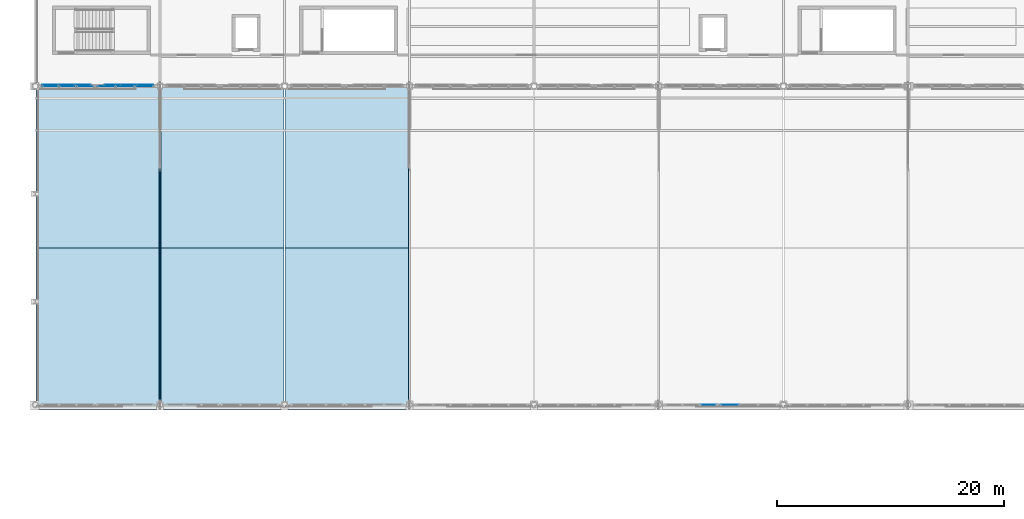
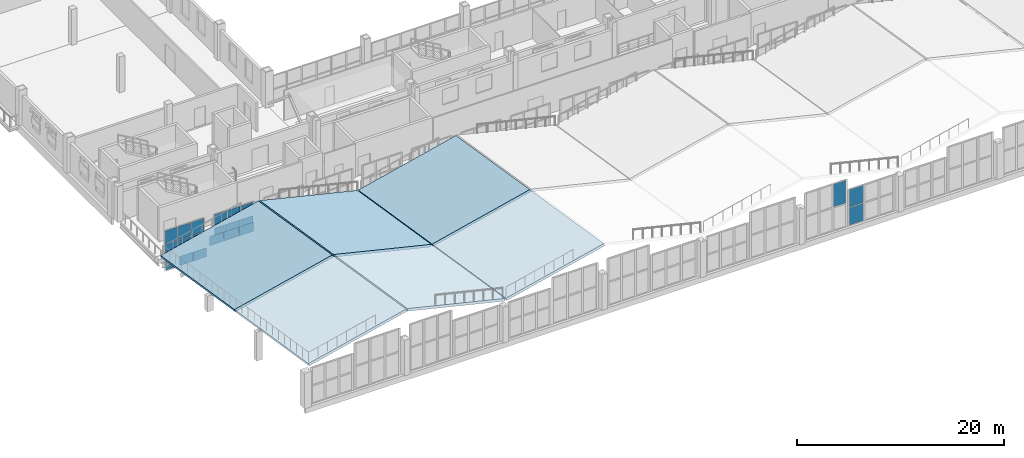
# One storey, part 78 of 120: 21 plates, 6 slabs, 6 elements without a shape of their own.
"""IFC4 building model written with IfcOpenShell, lengths in metres."""

from ifc_helpers import new_model, si_unit, direction, frame, origin, origin_2d, place, context, subcontext, project, spatial, polyline, rectangle, outline, extrude, material, layer, layer_set, type_object, element, aggregate, save


model = new_model("IFC4")

# Units and contexts
model_context = context("Model", 3, precision=1e-05, world=origin(), true_north=direction((0.0, 1.0)))
body_context = subcontext(model_context, "Body", "Model", "MODEL_VIEW")
ifc_project = project(units=[si_unit("LENGTHUNIT", "METRE"), si_unit("AREAUNIT", "SQUARE_METRE"), si_unit("VOLUMEUNIT", "CUBIC_METRE"), si_unit("PLANEANGLEUNIT", "RADIAN"), si_unit("MASSUNIT", "GRAM", prefix="KILO")], contexts=[model_context])

# Site, building, storey
site_placement = place(None, origin())
site = spatial("IfcSite", under=ifc_project, at=site_placement, CompositionType="ELEMENT")
building_placement = place(site_placement, origin())
building = spatial("IfcBuilding", under=site, at=building_placement, Name="Caurita Quay Ferry Terminal", CompositionType="ELEMENT")
storey_placement = place(building_placement, frame((0.0, 0.0, 9.89990234375)))
storey = spatial("IfcBuildingStorey", under=building, at=storey_placement, Name="L02", CompositionType="ELEMENT", Elevation=9.89990234375)

# Curtain wall, plates
ifc_material_1 = material(Name="Laminated solar-control insulated glass", Category="glass")
curtain_wall_type_1 = type_object("IfcCurtainWallType", Name="CW-SYS-13", PredefinedType="NOTDEFINED", material=ifc_material_1)
curtain_wall_1_placement = place(storey_placement, origin())
curtain_wall_1 = element("IfcCurtainWall", 1, at=curtain_wall_1_placement, inside=storey, type_object=curtain_wall_type_1, Name="Mezzanine Hall Overlook Glazing 089", PredefinedType="NOTDEFINED")
ifc_layer_1 = layer(ifc_material_1, 0.02392578125, Name="Laminated low-e hurricane-rated glazing unit 24 mm")
ifc_layer_set_1 = layer_set([ifc_layer_1], Name="Laminated solar-control insulated glass")
plate_type_1 = type_object("IfcPlateType", Name="CW-PNL-24", PredefinedType="CURTAIN_PANEL", material=ifc_layer_set_1)
plate_1_placement = place(storey_placement, frame((1.29833984375, 62.800048828125, 0.05810546875), z_axis=(0.0, 0.0, 1.0), x_axis=(1.0, 0.0, 0.0)))
plate_1 = element("IfcPlate", 2, at=plate_1_placement, type_object=plate_type_1, Name="CW-MZL-089 Glazing Panel 1", PredefinedType="CURTAIN_PANEL", context=body_context, shape_type="SweptSolid", body=[
    extrude(rectangle(XDim=1.380615234375, YDim=0.02392578125, at=origin_2d()), origin(), (0.0, 0.0, 1.0), 1.56396484375),
])
plate_2_placement = place(storey_placement, frame((1.29833984375, 62.800048828125, 1.67822265625), z_axis=(0.0, 0.0, 1.0), x_axis=(1.0, 0.0, 0.0)))
plate_2 = element("IfcPlate", 3, at=plate_2_placement, type_object=plate_type_1, Name="CW-MZL-089 Glazing Panel 2", PredefinedType="CURTAIN_PANEL", context=body_context, shape_type="SweptSolid", body=[
    extrude(rectangle(XDim=1.380615234375, YDim=0.02392578125, at=origin_2d()), origin(), (0.0, 0.0, 1.0), 1.56396484375),
])
plate_3_placement = place(storey_placement, frame((2.75, 62.800048828125, 0.05810546875), z_axis=(0.0, 0.0, 1.0), x_axis=(1.0, 0.0, 0.0)))
plate_3 = element("IfcPlate", 4, at=plate_3_placement, type_object=plate_type_1, Name="CW-MZL-089 Glazing Panel 3", PredefinedType="CURTAIN_PANEL", context=body_context, shape_type="SweptSolid", body=[
    extrude(rectangle(XDim=1.41064453125, YDim=0.02392578125, at=origin_2d()), origin(), (0.0, 0.0, 1.0), 1.56396484375),
])
plate_4_placement = place(storey_placement, frame((2.75, 62.800048828125, 1.67822265625), z_axis=(0.0, 0.0, 1.0), x_axis=(1.0, 0.0, 0.0)))
plate_4 = element("IfcPlate", 5, at=plate_4_placement, type_object=plate_type_1, Name="CW-MZL-089 Glazing Panel 4", PredefinedType="CURTAIN_PANEL", context=body_context, shape_type="SweptSolid", body=[
    extrude(rectangle(XDim=1.41064453125, YDim=0.02392578125, at=origin_2d()), origin(), (0.0, 0.0, 1.0), 1.56396484375),
])
plate_5_placement = place(storey_placement, frame((4.20166015625, 62.800048828125, 0.05810546875), z_axis=(0.0, 0.0, 1.0), x_axis=(1.0, 0.0, 0.0)))
plate_5 = element("IfcPlate", 6, at=plate_5_placement, type_object=plate_type_1, Name="CW-MZL-089 Glazing Panel 5", PredefinedType="CURTAIN_PANEL", context=body_context, shape_type="SweptSolid", body=[
    extrude(rectangle(XDim=1.380615234375, YDim=0.02392578125, at=origin_2d()), origin(), (0.0, 0.0, 1.0), 1.56396484375),
])
plate_6_placement = place(storey_placement, frame((4.20166015625, 62.800048828125, 1.67822265625), z_axis=(0.0, 0.0, 1.0), x_axis=(1.0, 0.0, 0.0)))
plate_6 = element("IfcPlate", 7, at=plate_6_placement, type_object=plate_type_1, Name="CW-MZL-089 Glazing Panel 6", PredefinedType="CURTAIN_PANEL", context=body_context, shape_type="SweptSolid", body=[
    extrude(rectangle(XDim=1.380615234375, YDim=0.02392578125, at=origin_2d()), origin(), (0.0, 0.0, 1.0), 1.56396484375),
])
aggregate(curtain_wall_1, [plate_1, plate_2, plate_3, plate_4, plate_5, plate_6])

curtain_wall_2_placement = place(storey_placement, origin())
curtain_wall_2 = element("IfcCurtainWall", 8, at=curtain_wall_2_placement, inside=storey, type_object=curtain_wall_type_1, Name="Mezzanine Hall Overlook Glazing 090", PredefinedType="NOTDEFINED")
plate_7_placement = place(storey_placement, frame((6.79833984375, 62.800048828125, 0.05810546875), z_axis=(0.0, 0.0, 1.0), x_axis=(1.0, 0.0, 0.0)))
plate_7 = element("IfcPlate", 9, at=plate_7_placement, type_object=plate_type_1, Name="CW-MZL-090 Glazing Panel 1", PredefinedType="CURTAIN_PANEL", context=body_context, shape_type="SweptSolid", body=[
    extrude(rectangle(XDim=1.380615234375, YDim=0.02392578125, at=origin_2d()), origin(), (0.0, 0.0, 1.0), 1.56396484375),
])
plate_8_placement = place(storey_placement, frame((6.79833984375, 62.800048828125, 1.67822265625), z_axis=(0.0, 0.0, 1.0), x_axis=(1.0, 0.0, 0.0)))
plate_8 = element("IfcPlate", 10, at=plate_8_placement, type_object=plate_type_1, Name="CW-MZL-090 Glazing Panel 2", PredefinedType="CURTAIN_PANEL", context=body_context, shape_type="SweptSolid", body=[
    extrude(rectangle(XDim=1.380615234375, YDim=0.02392578125, at=origin_2d()), origin(), (0.0, 0.0, 1.0), 1.56396484375),
])
plate_9_placement = place(storey_placement, frame((8.25, 62.800048828125, 0.05810546875), z_axis=(0.0, 0.0, 1.0), x_axis=(1.0, 0.0, 0.0)))
plate_9 = element("IfcPlate", 11, at=plate_9_placement, type_object=plate_type_1, Name="CW-MZL-090 Glazing Panel 3", PredefinedType="CURTAIN_PANEL", context=body_context, shape_type="SweptSolid", body=[
    extrude(rectangle(XDim=1.41064453125, YDim=0.02392578125, at=origin_2d()), origin(), (0.0, 0.0, 1.0), 1.56396484375),
])
plate_10_placement = place(storey_placement, frame((8.25, 62.800048828125, 1.67822265625), z_axis=(0.0, 0.0, 1.0), x_axis=(1.0, 0.0, 0.0)))
plate_10 = element("IfcPlate", 12, at=plate_10_placement, type_object=plate_type_1, Name="CW-MZL-090 Glazing Panel 4", PredefinedType="CURTAIN_PANEL", context=body_context, shape_type="SweptSolid", body=[
    extrude(rectangle(XDim=1.41064453125, YDim=0.02392578125, at=origin_2d()), origin(), (0.0, 0.0, 1.0), 1.56396484375),
])
plate_11_placement = place(storey_placement, frame((9.70166015625, 62.800048828125, 0.05810546875), z_axis=(0.0, 0.0, 1.0), x_axis=(1.0, 0.0, 0.0)))
plate_11 = element("IfcPlate", 13, at=plate_11_placement, type_object=plate_type_1, Name="CW-MZL-090 Glazing Panel 5", PredefinedType="CURTAIN_PANEL", context=body_context, shape_type="SweptSolid", body=[
    extrude(rectangle(XDim=1.380615234375, YDim=0.02392578125, at=origin_2d()), origin(), (0.0, 0.0, 1.0), 1.56396484375),
])
plate_12_placement = place(storey_placement, frame((9.70166015625, 62.800048828125, 1.67822265625), z_axis=(0.0, 0.0, 1.0), x_axis=(1.0, 0.0, 0.0)))
plate_12 = element("IfcPlate", 14, at=plate_12_placement, type_object=plate_type_1, Name="CW-MZL-090 Glazing Panel 6", PredefinedType="CURTAIN_PANEL", context=body_context, shape_type="SweptSolid", body=[
    extrude(rectangle(XDim=1.380615234375, YDim=0.02392578125, at=origin_2d()), origin(), (0.0, 0.0, 1.0), 1.56396484375),
])
aggregate(curtain_wall_2, [plate_7, plate_8, plate_9, plate_10, plate_11, plate_12])

curtain_wall_type_2 = type_object("IfcCurtainWallType", Name="CW-SYS-05", PredefinedType="NOTDEFINED", material=ifc_material_1)
curtain_wall_3_placement = place(storey_placement, origin())
curtain_wall_3 = element("IfcCurtainWall", 15, at=curtain_wall_3_placement, inside=storey, type_object=curtain_wall_type_2, Name="Folded Roof Clerestory FB-01-N1", PredefinedType="NOTDEFINED")
ifc_layer_2 = layer(ifc_material_1, 0.028076171875, Name="Laminated low-e hurricane-rated glazing unit 28 mm")
ifc_layer_set_2 = layer_set([ifc_layer_2], Name="Laminated solar-control insulated glass")
plate_type_2 = type_object("IfcPlateType", Name="CW-PNL-28", PredefinedType="CURTAIN_PANEL", material=ifc_layer_set_2)
plate_13_placement = place(storey_placement, frame((1.34375, 62.699951171875, -1.31005859375), z_axis=(0.0, 0.0, 1.0), x_axis=(1.0, 0.0, 0.0)))
plate_13 = element("IfcPlate", 16, at=plate_13_placement, type_object=plate_type_2, Name="CW-CLR-005 Glazing Panel 1", PredefinedType="CURTAIN_PANEL", context=body_context, shape_type="SweptSolid", body=[
    extrude(rectangle(XDim=1.44140625, YDim=0.028076171875, at=origin_2d()), origin(), (0.0, 0.0, 1.0), 1.053955078125),
])
plate_14_placement = place(storey_placement, frame((2.875, 62.699951171875, -1.31005859375), z_axis=(0.0, 0.0, 1.0), x_axis=(1.0, 0.0, 0.0)))
plate_14 = element("IfcPlate", 17, at=plate_14_placement, type_object=plate_type_2, Name="CW-CLR-005 Glazing Panel 2", PredefinedType="CURTAIN_PANEL", context=body_context, shape_type="SweptSolid", body=[
    extrude(rectangle(XDim=1.47900390625, YDim=0.028076171875, at=origin_2d()), origin(), (0.0, 0.0, 1.0), 1.053955078125),
])
plate_15_placement = place(storey_placement, frame((4.40625, 62.699951171875, -1.31005859375), z_axis=(0.0, 0.0, 1.0), x_axis=(1.0, 0.0, 0.0)))
plate_15 = element("IfcPlate", 18, at=plate_15_placement, type_object=plate_type_2, Name="CW-CLR-005 Glazing Panel 3", PredefinedType="CURTAIN_PANEL", context=body_context, shape_type="SweptSolid", body=[
    extrude(rectangle(XDim=1.44140625, YDim=0.028076171875, at=origin_2d()), origin(), (0.0, 0.0, 1.0), 1.053955078125),
])
aggregate(curtain_wall_3, [plate_13, plate_14, plate_15])

curtain_wall_type_3 = type_object("IfcCurtainWallType", Name="CW-SYS-06", PredefinedType="NOTDEFINED", material=ifc_material_1)
curtain_wall_4_placement = place(storey_placement, origin())
curtain_wall_4 = element("IfcCurtainWall", 19, at=curtain_wall_4_placement, inside=storey, type_object=curtain_wall_type_3, Name="Folded Roof Clerestory FB-01-N2", PredefinedType="NOTDEFINED")
plate_16_placement = place(storey_placement, frame((6.260498046875, 62.699951171875, -0.14599609375), z_axis=(0.0, 0.0, 1.0), x_axis=(1.0, 0.0, 0.0)))
plate_16 = element("IfcPlate", 20, at=plate_16_placement, type_object=plate_type_2, Name="CW-CLR-006 Glazing Panel 1", PredefinedType="CURTAIN_PANEL", context=body_context, shape_type="SweptSolid", body=[
    extrude(rectangle(XDim=1.57470703125, YDim=0.028076171875, at=origin_2d()), origin(), (0.0, 0.0, 1.0), 1.053955078125),
])
plate_17_placement = place(storey_placement, frame((7.925048828125, 62.699951171875, -0.14599609375), z_axis=(0.0, 0.0, 1.0), x_axis=(1.0, 0.0, 0.0)))
plate_17 = element("IfcPlate", 21, at=plate_17_placement, type_object=plate_type_2, Name="CW-CLR-006 Glazing Panel 2", PredefinedType="CURTAIN_PANEL", context=body_context, shape_type="SweptSolid", body=[
    extrude(rectangle(XDim=1.6123046875, YDim=0.028076171875, at=origin_2d()), origin(), (0.0, 0.0, 1.0), 1.053955078125),
])
plate_18_placement = place(storey_placement, frame((9.589599609375, 62.699951171875, -0.14599609375), z_axis=(0.0, 0.0, 1.0), x_axis=(1.0, 0.0, 0.0)))
plate_18 = element("IfcPlate", 22, at=plate_18_placement, type_object=plate_type_2, Name="CW-CLR-006 Glazing Panel 3", PredefinedType="CURTAIN_PANEL", context=body_context, shape_type="SweptSolid", body=[
    extrude(rectangle(XDim=1.57470703125, YDim=0.028076171875, at=origin_2d()), origin(), (0.0, 0.0, 1.0), 1.053955078125),
])
aggregate(curtain_wall_4, [plate_16, plate_17, plate_18])

# Curtain wall, plate
curtain_wall_type_4 = type_object("IfcCurtainWallType", Name="CW-SYS-03", PredefinedType="NOTDEFINED", material=ifc_material_1)
curtain_wall_5_placement = place(storey_placement, origin())
curtain_wall_5 = element("IfcCurtainWall", 23, at=curtain_wall_5_placement, inside=storey, type_object=curtain_wall_type_4, Name="Folded Roof Clerestory FB-03-S3", PredefinedType="NOTDEFINED")
plate_19_placement = place(storey_placement, frame((59.40625, 34.60009765625, 2.822265625), z_axis=(0.0, 0.0, 1.0), x_axis=(1.0, 0.0, 0.0)))
plate_19 = element("IfcPlate", 24, at=plate_19_placement, type_object=plate_type_2, Name="CW-CLR-019 Glazing Panel 6", PredefinedType="CURTAIN_PANEL", context=body_context, shape_type="SweptSolid", body=[
    extrude(rectangle(XDim=1.44140625, YDim=0.028076171875, at=origin_2d()), origin(), (0.0, 0.0, 1.0), 2.677978515625),
])
aggregate(curtain_wall_5, [plate_19])

# Curtain wall, plates
curtain_wall_type_5 = type_object("IfcCurtainWallType", Name="CW-SYS-04", PredefinedType="NOTDEFINED", material=ifc_material_1)
curtain_wall_6_placement = place(storey_placement, origin())
curtain_wall_6 = element("IfcCurtainWall", 25, at=curtain_wall_6_placement, inside=storey, type_object=curtain_wall_type_5, Name="Folded Roof Clerestory FB-03-S4", PredefinedType="NOTDEFINED")
plate_20_placement = place(storey_placement, frame((61.260498046875, 34.60009765625, 0.0732421875), z_axis=(0.0, 0.0, 1.0), x_axis=(1.0, 0.0, 0.0)))
plate_20 = element("IfcPlate", 26, at=plate_20_placement, type_object=plate_type_2, Name="CW-CLR-020 Glazing Panel 1", PredefinedType="CURTAIN_PANEL", context=body_context, shape_type="SweptSolid", body=[
    extrude(rectangle(XDim=1.57470703125, YDim=0.028076171875, at=origin_2d()), origin(), (0.0, 0.0, 1.0), 2.048095703125),
])
plate_21_placement = place(storey_placement, frame((61.260498046875, 34.60009765625, 2.19189453125), z_axis=(0.0, 0.0, 1.0), x_axis=(1.0, 0.0, 0.0)))
plate_21 = element("IfcPlate", 27, at=plate_21_placement, type_object=plate_type_2, Name="CW-CLR-020 Glazing Panel 2", PredefinedType="CURTAIN_PANEL", context=body_context, shape_type="SweptSolid", body=[
    extrude(rectangle(XDim=1.57470703125, YDim=0.028076171875, at=origin_2d()), origin(), (0.0, 0.0, 1.0), 2.048095703125),
])
aggregate(curtain_wall_6, [plate_20, plate_21])

# Slabs
ifc_material_2 = material(Name="Reinforced concrete C35/45", Category="concrete")
ifc_layer_3 = layer(ifc_material_2, 0.280029296875, Name="Reinforced concrete roof slab 280 mm")
ifc_layer_set_3 = layer_set([ifc_layer_3], Name="Reinforced concrete C35/45")
slab_type = type_object("IfcSlabType", Name="SLB-FOLD-280", PredefinedType="ROOF", material=ifc_layer_set_3)
for number, where, z_axis, x_axis, name in (
    (28, (0.0400390625, 34.199951171875, 5.169677734375), (-0.230611727555, 0.153733927912, 0.960824703327), (0.972384132882, 0.0, 0.233386156658), "Folded Concourse Roof Facet FB-01 W1"),
    (29, (0.0400390625, 48.449951171875, 2.8896484375), (-0.230611727555, 0.153733927912, 0.960824703327), (0.972384132882, 0.0, 0.233386156658), "Folded Concourse Roof Facet FB-01 W2"),
):
    element("IfcSlab", number, at=place(storey_placement, frame(where, z_axis=z_axis, x_axis=x_axis)), inside=storey, type_object=slab_type, Name=name, PredefinedType="ROOF", context=body_context, shape_type="SweptSolid", body=[
        extrude(outline(polyline([(0.0, 0.0), (11.18887324935576, 0.0), (10.656745974690594, 14.421438005905157), (-0.5321272746651661, 14.421438005905157), (0.0, 0.0)])), origin(), (0.0, 0.0, -1.0), 0.280029296875),
    ])
for number, where, z_axis, x_axis, name in (
    (30, (11.080078125, 34.199951171875, 7.781005859375), (0.230611727555, 0.153733927912, 0.960824703327), (0.972384132882, 0.0, -0.233386156658), "Folded Concourse Roof Facet FB-01 E1"),
    (31, (11.080078125, 48.449951171875, 5.5009765625), (0.230611727555, 0.153733927912, 0.960824703327), (0.972384132882, 0.0, -0.233386156658), "Folded Concourse Roof Facet FB-01 E2"),
):
    element("IfcSlab", number, at=place(storey_placement, frame(where, z_axis=z_axis, x_axis=x_axis)), inside=storey, type_object=slab_type, Name=name, PredefinedType="ROOF", context=body_context, shape_type="SweptSolid", body=[
        extrude(outline(polyline([(0.0, 0.0), (11.18887324935576, 0.0), (11.721000524020926, 14.421438005905157), (0.5321272746651661, 14.421438005905157), (0.0, 0.0)])), origin(), (0.0, 0.0, -1.0), 0.280029296875),
    ])
for number, where, z_axis, x_axis, name in (
    (32, (22.0400390625, 34.199951171875, 5.169677734375), (-0.230611727555, 0.153733927912, 0.960824703327), (0.972384132882, 0.0, 0.233386156658), "Folded Concourse Roof Facet FB-02 W1"),
    (33, (22.0400390625, 48.449951171875, 2.8896484375), (-0.230611727555, 0.153733927912, 0.960824703327), (0.972384132882, 0.0, 0.233386156658), "Folded Concourse Roof Facet FB-02 W2"),
):
    element("IfcSlab", number, at=place(storey_placement, frame(where, z_axis=z_axis, x_axis=x_axis)), inside=storey, type_object=slab_type, Name=name, PredefinedType="ROOF", context=body_context, shape_type="SweptSolid", body=[
        extrude(outline(polyline([(0.0, 0.0), (11.18887324935576, 0.0), (10.656745974690594, 14.421438005905157), (-0.5321272746651661, 14.421438005905157), (0.0, 0.0)])), origin(), (0.0, 0.0, -1.0), 0.280029296875),
    ])

save(model, "model.ifc")
